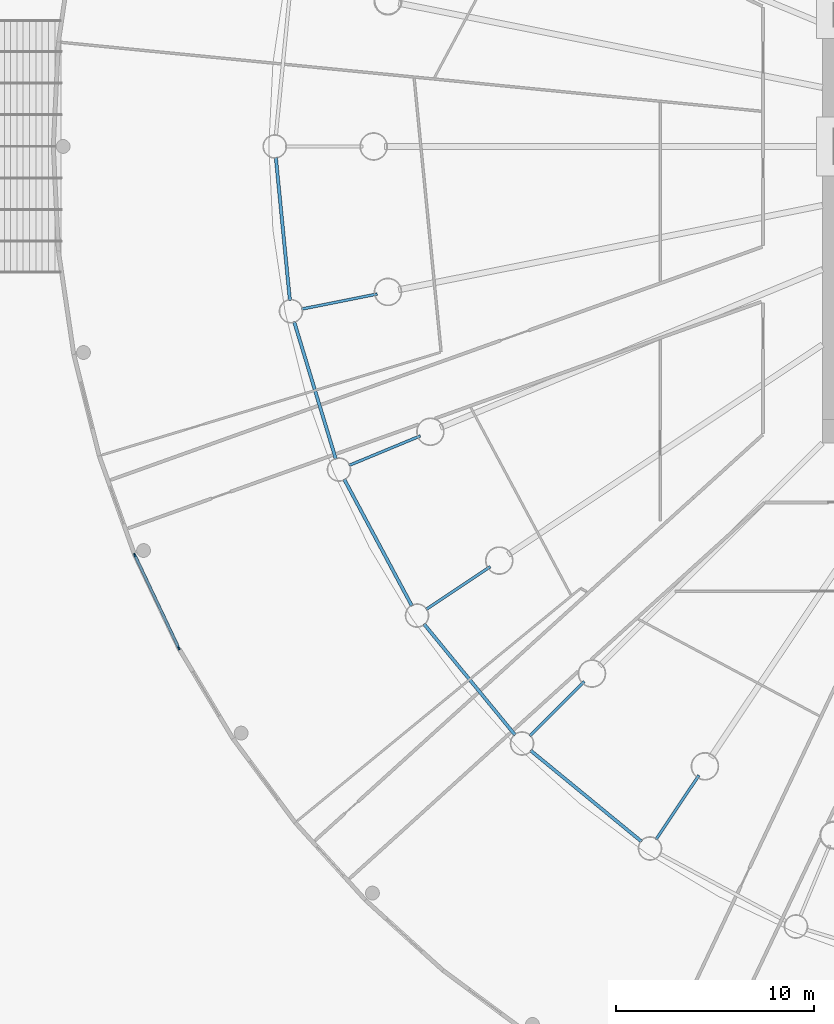
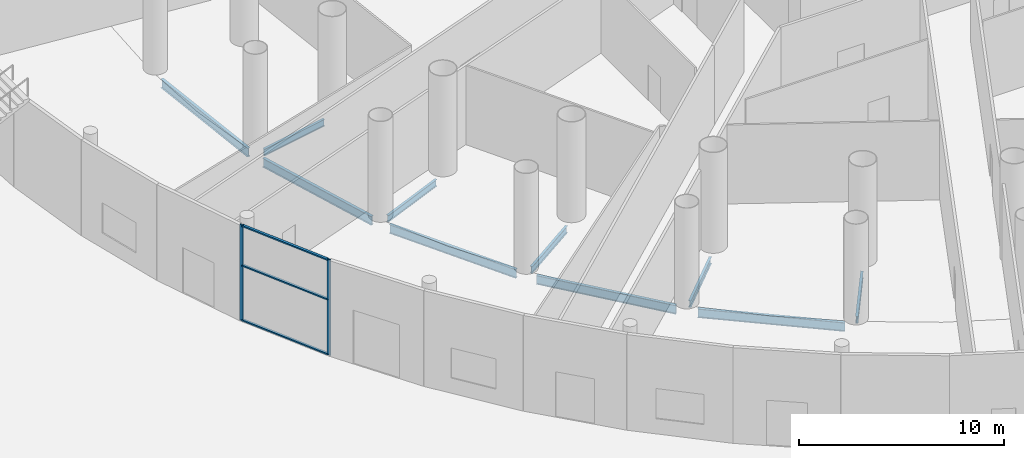
# One storey, part 6 of 33: 10 beams, 5 members, 1 element without a shape of its own.
"""IFC4 building model written with IfcOpenShell, lengths in metres."""

import ifcopenshell
import ifcopenshell.guid

model = None  # the IFC model being written
_history = None  # IfcOwnerHistory: only IFC2X3 demands one
_inside = {}  # id of a spatial element -> (the spatial element, [elements in it])
_under = {}  # id of a project, library or spatial element -> (it, [spatial elements below it])
_declared = {}  # id of a project -> (the project, [libraries it declares])
_typed = {}  # id of a type object -> (the type object, [elements of that type])
_made_of = {}  # id of a material, layer set ... -> (it, [elements and type objects made of it])


def new_model(schema):
    """Start an empty IFC model of exactly this schema.

    Asked for "IFC4X3", IfcOpenShell would pick the latest addendum, in which some entities
    have other attributes; the version numbers below select the first issue.
    IFC2X3 requires an IfcOwnerHistory on every rooted entity: one is made here for all.
    """
    global model, _history
    if schema == "IFC4X3":
        model = ifcopenshell.file(schema_version=(4, 3, 0, 0))
    else:
        model = ifcopenshell.file(schema=schema)
    _inside.clear()
    _under.clear()
    _declared.clear()
    _typed.clear()
    _made_of.clear()
    _history = None
    if model.schema == "IFC2X3":
        org = make("IfcOrganization", Name="unknown")
        user = make(
            "IfcPersonAndOrganization",
            ThePerson=make("IfcPerson", FamilyName="unknown"),
            TheOrganization=org,
        )
        app = make(
            "IfcApplication",
            ApplicationDeveloper=org,
            Version="unknown",
            ApplicationFullName="unknown",
            ApplicationIdentifier="unknown",
        )
        _history = make(
            "IfcOwnerHistory",
            OwningUser=user,
            OwningApplication=app,
            ChangeAction="ADDED",
            CreationDate=0,
        )
    return model


def make(cls, **values):
    """One entity of the class cls with the attributes given. An attribute that is None is left unset."""
    return model.create_entity(
        cls, **{name: value for name, value in values.items() if value is not None}
    )


def rooted(cls, **values):
    """An entity with a GlobalId (a new one), such as an element, a storey or a relation."""
    return make(cls, GlobalId=ifcopenshell.guid.new(), OwnerHistory=_history, **values)


def si_unit(unit_type, name, prefix=None):
    """IfcSIUnit, for example si_unit("LENGTHUNIT", "METRE", prefix="MILLI")."""
    return make("IfcSIUnit", UnitType=unit_type, Prefix=prefix, Name=name)


def assignment(units):
    """IfcUnitAssignment: the units of a project."""
    return None if units is None else make("IfcUnitAssignment", Units=units)


def point(xyz):
    """IfcCartesianPoint."""
    return None if xyz is None else make("IfcCartesianPoint", Coordinates=xyz)


def direction(xyz):
    """IfcDirection."""
    return None if xyz is None else make("IfcDirection", DirectionRatios=xyz)


def frame(location, z_axis=None, x_axis=None):
    """IfcAxis2Placement3D, a coordinate frame: its origin and axes. An axis left out is left unset."""
    return make(
        "IfcAxis2Placement3D",
        Location=point(location),
        Axis=direction(z_axis),
        RefDirection=direction(x_axis),
    )


def frame_2d(location, x_axis=None):
    """IfcAxis2Placement2D, a coordinate frame in the plane: its origin and x axis."""
    return make(
        "IfcAxis2Placement2D", Location=point(location), RefDirection=direction(x_axis)
    )


def origin():
    """The frame at (0, 0, 0) with its axes left unset."""
    return frame((0.0, 0.0, 0.0))


def origin_2d():
    """The frame at (0, 0) in the plane with its x axis left unset."""
    return frame_2d((0.0, 0.0))


def place(relative_to, where):
    """IfcLocalPlacement: puts the frame where relative to a parent placement (None: the world)."""
    return make(
        "IfcLocalPlacement", PlacementRelTo=relative_to, RelativePlacement=where
    )


def context(
    kind, dimensions, precision=None, world=None, true_north=None, identifier=None
):
    """IfcGeometricRepresentationContext, for example the 3D "Model" context."""
    return make(
        "IfcGeometricRepresentationContext",
        ContextIdentifier=identifier,
        ContextType=kind,
        CoordinateSpaceDimension=dimensions,
        Precision=precision,
        WorldCoordinateSystem=world,
        TrueNorth=true_north,
    )


def subcontext(parent, identifier, kind, view, scale=None):
    """IfcGeometricRepresentationSubContext, for example "Body" below "Model"."""
    return make(
        "IfcGeometricRepresentationSubContext",
        ContextIdentifier=identifier,
        ContextType=kind,
        ParentContext=parent,
        TargetScale=scale,
        TargetView=view,
    )


def project(units=None, contexts=None):
    """IfcProject with its units and contexts."""
    return rooted(
        "IfcProject",
        Name="project",
        RepresentationContexts=contexts,
        UnitsInContext=assignment(units),
    )


def spatial(cls, under=None, at=None, **own):
    """A site, building, storey or space (cls), placed at a placement, below another one or the project."""
    s = rooted(cls, ObjectPlacement=at, **own)
    if under is not None:
        _under.setdefault(under.id(), (under, []))[1].append(s)
    return s


def profile(cls, at=None, kind="AREA", **sizes):
    """A parametric profile (cls). Its sizes go by their IFC names, for example OverallWidth=200.0."""
    return make(cls, ProfileType=kind, Position=at, **sizes)


def rectangle(**sizes):
    """IfcRectangleProfileDef."""
    return profile("IfcRectangleProfileDef", **sizes)


def i_section(**sizes):
    """IfcIShapeProfileDef."""
    return profile("IfcIShapeProfileDef", **sizes)


def extrude(swept, where, along, depth):
    """IfcExtrudedAreaSolid: the profile swept, set in the frame where, extruded along a direction by depth."""
    return make(
        "IfcExtrudedAreaSolid",
        SweptArea=swept,
        Position=where,
        ExtrudedDirection=direction(along),
        Depth=depth,
    )


def shape(context_of_items, identifier, shape_type, items):
    """IfcShapeRepresentation: the items that make up one representation, for example the "Body"."""
    return make(
        "IfcShapeRepresentation",
        ContextOfItems=context_of_items,
        RepresentationIdentifier=identifier,
        RepresentationType=shape_type,
        Items=items,
    )


def material(Name=None, Category=None):
    """IfcMaterial."""
    return make("IfcMaterial", Name=Name, Category=Category)


def material_profile(
    of_material, cross_section, Name=None, Category=None, Priority=None
):
    """IfcMaterialProfile: a cross section and its material."""
    return make(
        "IfcMaterialProfile",
        Name=Name,
        Material=of_material,
        Profile=cross_section,
        Priority=Priority,
        Category=Category,
    )


def profile_set(profiles, Name=None, composite=None):
    """IfcMaterialProfileSet."""
    return make(
        "IfcMaterialProfileSet",
        Name=Name,
        MaterialProfiles=profiles,
        CompositeProfile=composite,
    )


def made_of(thing, what):
    """Note that an element or type object is made of a material, layer set ...; save() writes the relation."""
    if what is not None:
        _made_of.setdefault(what.id(), (what, []))[1].append(thing)
    return thing


def type_object(cls, material=None, **own):
    """A type object (cls), such as IfcWallType, which elements share."""
    return made_of(rooted(cls, **own), material)


def element(
    cls,
    number,
    at=None,
    inside=None,
    cuts=None,
    type_object=None,
    material=None,
    context=None,
    identifier="Body",
    shape_type=None,
    held_by="IfcProductDefinitionShape",
    body=None,
    shapes=None,
    **own,
):
    """One element of the class cls, such as IfcWall. Its Tag is "e" and its number.

    at: its placement. inside: the storey or other place that contains it. cuts: it is an
    opening in that element (IfcRelVoidsElement). A single representation is given by context,
    identifier, shape_type and body (its items); several are given by shapes. held_by: the class
    of the entity that holds the representations. save() writes the other relations.
    """
    e = rooted(cls, Tag="e%d" % number, ObjectPlacement=at, **own)
    if body is not None:
        shapes = [shape(context, identifier, shape_type, body)]
    if shapes is not None:
        e.Representation = make(held_by, Representations=shapes)
    if inside is not None:
        _inside.setdefault(inside.id(), (inside, []))[1].append(e)
    if cuts is not None:
        rooted(
            "IfcRelVoidsElement", RelatingBuildingElement=cuts, RelatedOpeningElement=e
        )
    if type_object is not None:
        _typed.setdefault(type_object.id(), (type_object, []))[1].append(e)
    return made_of(e, material)


def aggregate(whole, parts):
    """IfcRelAggregates: a whole, such as a stair, and the parts it consists of."""
    return rooted("IfcRelAggregates", RelatingObject=whole, RelatedObjects=parts)


def save(model, path):
    """Write the relations noted so far, then the file.

    IfcRelAggregates (storeys below a building ...), IfcRelContainedInSpatialStructure (elements
    in a storey), IfcRelDefinesByType, IfcRelAssociatesMaterial and IfcRelDeclares: one each for
    every whole, place, type object, material and project.
    """
    for whole, parts in _under.values():
        aggregate(whole, parts)
    for where, things in _inside.values():
        rooted(
            "IfcRelContainedInSpatialStructure",
            RelatedElements=things,
            RelatingStructure=where,
        )
    for kind, things in _typed.values():
        rooted("IfcRelDefinesByType", RelatedObjects=things, RelatingType=kind)
    for what, things in _made_of.values():
        rooted("IfcRelAssociatesMaterial", RelatedObjects=things, RelatingMaterial=what)
    for by, libraries in _declared.values():
        rooted("IfcRelDeclares", RelatingContext=by, RelatedDefinitions=libraries)
    model.write(path)


model = new_model("IFC4")

# Units and contexts
model_context = context("Model", 3, precision=1e-05, world=origin(), true_north=direction((0.0, 1.0)))
body_context = subcontext(model_context, "Body", "Model", "MODEL_VIEW")
ifc_project = project(units=[si_unit("LENGTHUNIT", "METRE"), si_unit("AREAUNIT", "SQUARE_METRE"), si_unit("VOLUMEUNIT", "CUBIC_METRE"), si_unit("PLANEANGLEUNIT", "RADIAN"), si_unit("MASSUNIT", "GRAM", prefix="KILO")], contexts=[model_context])

# Site, building, storey
site_placement = place(None, origin())
site = spatial("IfcSite", under=ifc_project, at=site_placement, CompositionType="ELEMENT")
building_placement = place(site_placement, origin())
building = spatial("IfcBuilding", under=site, at=building_placement, Name="Corvane Civic Tower", CompositionType="ELEMENT")
storey_placement = place(building_placement, origin())
storey = spatial("IfcBuildingStorey", under=building, at=storey_placement, Name="G", CompositionType="ELEMENT", Elevation=0.0)

# Beams
ifc_material_1 = material(Name="Steel ASTM A992 Gr 50", Category="steel")
ifc_material_profile_1 = material_profile(ifc_material_1, i_section(OverallWidth=0.165771484375, OverallDepth=0.5283203125, WebThickness=0.009765625, FlangeThickness=0.013671875, at=origin_2d()), Name="W21X50")
ifc_profile_set_1 = profile_set([ifc_material_profile_1], Name="Steel ASTM A992 Gr 50")
beam_type_1 = type_object("IfcBeamType", Name="EDGE BEAM W21X50", PredefinedType="BEAM", material=ifc_profile_set_1)
for number, where, z_axis, x_axis, name in (
    (1, (-24.14794921875, -35.15478515625, -0.564208984375), (-0.773007924807, 0.634396365205, 0.0), (-0.634396365205, -0.773007924807, 0.0), "BM-G-E20"),
    (2, (-30.542236328125, -29.768310546875, -0.564208984375), (-0.634396365205, 0.773007924807, 0.0), (-0.773007924807, -0.634396365205, 0.0), "BM-G-E21"),
    (3, (-35.762939453125, -23.23779296875, -0.564208984375), (-0.471412394598, 0.881912894916, 0.0), (-0.881912894916, -0.471412394598, 0.0), "BM-G-E22"),
):
    element("IfcBeam", number, at=place(storey_placement, frame(where, z_axis=z_axis, x_axis=x_axis)), inside=storey, type_object=beam_type_1, Name=name, PredefinedType="BEAM", context=body_context, shape_type="SweptSolid", body=[
        extrude(i_section(OverallWidth=0.165771484375, OverallDepth=0.5283203125, WebThickness=0.009765625, FlangeThickness=0.013671875, at=origin_2d()), origin(), (0.0, 0.0, 1.0), 7.270751953125),
    ])
for number, where, z_axis, x_axis, name in (
    (4, (-39.609375, -15.814208984375, -0.564208984375), (-0.290291633127, 0.956938225664, 0.0), (-0.956938225664, -0.290291633127, 0.0), "BM-G-E23"),
    (5, (-41.93359375, -7.782958984375, -0.564208984375), (-0.097984225478, 0.995187967953, 0.0), (-0.995187967953, -0.097984225478, 0.0), "BM-G-E24"),
):
    element("IfcBeam", number, at=place(storey_placement, frame(where, z_axis=z_axis, x_axis=x_axis)), inside=storey, type_object=beam_type_1, Name=name, PredefinedType="BEAM", context=body_context, shape_type="SweptSolid", body=[
        extrude(i_section(OverallWidth=0.165771484375, OverallDepth=0.5283203125, WebThickness=0.009765625, FlangeThickness=0.013671875, at=origin_2d()), origin(), (0.0, 0.0, 1.0), 7.2705078125),
    ])
ifc_material_2 = material(Name="Steel ASTM A992 Gr 50", Category="steel")
ifc_material_profile_2 = material_profile(ifc_material_2, i_section(OverallWidth=0.140380859375, OverallDepth=0.40380859375, WebThickness=0.007080078125, FlangeThickness=0.01123046875, at=origin_2d()), Name="W16X31")
ifc_profile_set_2 = profile_set([ifc_material_profile_2], Name="Steel ASTM A992 Gr 50")
beam_type_2 = type_object("IfcBeamType", Name="FLOOR GIRDER W16X31", PredefinedType="BEAM", material=ifc_profile_set_2)
for number, where, z_axis, x_axis, name in (
    (6, (-21.25048828125, -31.8037109375, -0.501953125), (-0.555581110199, -0.831462344301, 0.0), (0.831462344301, -0.555581110199, 0.0), "BM-G-G20b"),
    (7, (-27.046875, -27.046875, -0.501953125), (-0.707106781187, -0.707106781187, 0.0), (0.707106781187, -0.707106781187, 0.0), "BM-G-G21b"),
    (8, (-31.8037109375, -21.25048828125, -0.501953125), (-0.831462344301, -0.555581110199, 0.0), (0.555581110199, -0.831462344301, 0.0), "BM-G-G22b"),
    (9, (-35.33837890625, -14.6376953125, -0.501953125), (-0.923878730261, -0.382685369162, 0.0), (0.382685369162, -0.923878730261, 0.0), "BM-G-G23b"),
    (10, (-37.51513671875, -7.462158203125, -0.501953125), (-0.980777614264, -0.195128858343, 0.0), (0.195128858343, -0.980777614264, 0.0), "BM-G-G24b"),
):
    element("IfcBeam", number, at=place(storey_placement, frame(where, z_axis=z_axis, x_axis=x_axis)), inside=storey, type_object=beam_type_2, Name=name, PredefinedType="BEAM", context=body_context, shape_type="SweptSolid", body=[
        extrude(i_section(OverallWidth=0.140380859375, OverallDepth=0.40380859375, WebThickness=0.007080078125, FlangeThickness=0.01123046875, at=origin_2d()), origin(), (0.0, 0.0, 1.0), 3.89990234375),
    ])

# Curtain wall, members
ifc_material_3 = material(Name="Aluminium and glass", Category="aluminium")
curtain_wall_type = type_object("IfcCurtainWallType", Name="PODIUM-CW-L-RUN", PredefinedType="NOTDEFINED", material=ifc_material_3)
curtain_wall_placement = place(storey_placement, origin())
curtain_wall = element("IfcCurtainWall", 11, at=curtain_wall_placement, inside=storey, type_object=curtain_wall_type, Name="PODI run G-plinth-22B", PredefinedType="NOTDEFINED")
ifc_material_4 = material(Name="Anodised aluminium bronze", Category="aluminium")
ifc_material_profile_3 = material_profile(ifc_material_4, rectangle(XDim=0.080078125, YDim=0.199951171875, at=origin_2d()), Name="AL 80x200")
ifc_profile_set_3 = profile_set([ifc_material_profile_3], Name="Anodised aluminium bronze")
member_type_1 = type_object("IfcMemberType", Name="PODIUM-CWL-MULLION-80x200", PredefinedType="MULLION", material=ifc_profile_set_3)
member_1_placement = place(storey_placement, frame((-47.55908203125, -25.3583984375, 0.0), z_axis=(0.0, 0.0, 1.0), x_axis=(-0.90399397659, -0.427545190932, 0.0)))
member_1 = element("IfcMember", 12, at=member_1_placement, type_object=member_type_1, Name="CW-L mullion 1", PredefinedType="MULLION", context=body_context, shape_type="SweptSolid", body=[
    extrude(rectangle(XDim=0.080078125, YDim=0.199951171875, at=origin_2d()), origin(), (0.0, 0.0, 1.0), 5.699951171875),
])
member_2_placement = place(storey_placement, frame((-49.7734375, -20.67626953125, 0.0), z_axis=(0.0, 0.0, 1.0), x_axis=(-0.90399397659, -0.427545190932, 0.0)))
member_2 = element("IfcMember", 13, at=member_2_placement, type_object=member_type_1, Name="CW-L mullion 2", PredefinedType="MULLION", context=body_context, shape_type="SweptSolid", body=[
    extrude(rectangle(XDim=0.080078125, YDim=0.199951171875, at=origin_2d()), origin(), (0.0, 0.0, 1.0), 5.699951171875),
])
ifc_material_5 = material(Name="Anodised aluminium bronze", Category="aluminium")
ifc_material_profile_4 = material_profile(ifc_material_5, rectangle(XDim=0.139892578125, YDim=0.080078125, at=origin_2d()), Name="AL 140x80")
ifc_profile_set_4 = profile_set([ifc_material_profile_4], Name="Anodised aluminium bronze")
member_type_2 = type_object("IfcMemberType", Name="PODIUM-CWL-TRANSOM-80x140", PredefinedType="USERDEFINED", material=ifc_profile_set_4)
member_3_placement = place(storey_placement, frame((-47.576171875, -25.322265625, 0.0400390625), z_axis=(-0.427534713541, 0.903998931812, 0.0), x_axis=(-0.903998931812, -0.427534713541, 0.0)))
member_3 = element("IfcMember", 14, at=member_3_placement, type_object=member_type_2, Name="CW-L transom 1.1", ObjectType="TRANSOM", PredefinedType="USERDEFINED", context=body_context, shape_type="SweptSolid", body=[
    extrude(rectangle(XDim=0.139892578125, YDim=0.080078125, at=origin_2d()), origin(), (0.0, 0.0, 1.0), 5.099365234375),
])
member_4_placement = place(storey_placement, frame((-47.576171875, -25.322265625, 3.300048828125), z_axis=(-0.427534713541, 0.903998931812, 0.0), x_axis=(-0.903998931812, -0.427534713541, 0.0)))
member_4 = element("IfcMember", 15, at=member_4_placement, type_object=member_type_2, Name="CW-L transom 1.2", ObjectType="TRANSOM", PredefinedType="USERDEFINED", context=body_context, shape_type="SweptSolid", body=[
    extrude(rectangle(XDim=0.139892578125, YDim=0.080078125, at=origin_2d()), origin(), (0.0, 0.0, 1.0), 5.099365234375),
])
member_5_placement = place(storey_placement, frame((-47.576171875, -25.322265625, 5.659912109375), z_axis=(-0.427534713541, 0.903998931812, 0.0), x_axis=(-0.903998931812, -0.427534713541, 0.0)))
member_5 = element("IfcMember", 16, at=member_5_placement, type_object=member_type_2, Name="CW-L transom 1.3", ObjectType="TRANSOM", PredefinedType="USERDEFINED", context=body_context, shape_type="SweptSolid", body=[
    extrude(rectangle(XDim=0.139892578125, YDim=0.080078125, at=origin_2d()), origin(), (0.0, 0.0, 1.0), 5.099365234375),
])
aggregate(curtain_wall, [member_1, member_2, member_3, member_4, member_5])

save(model, "model.ifc")
